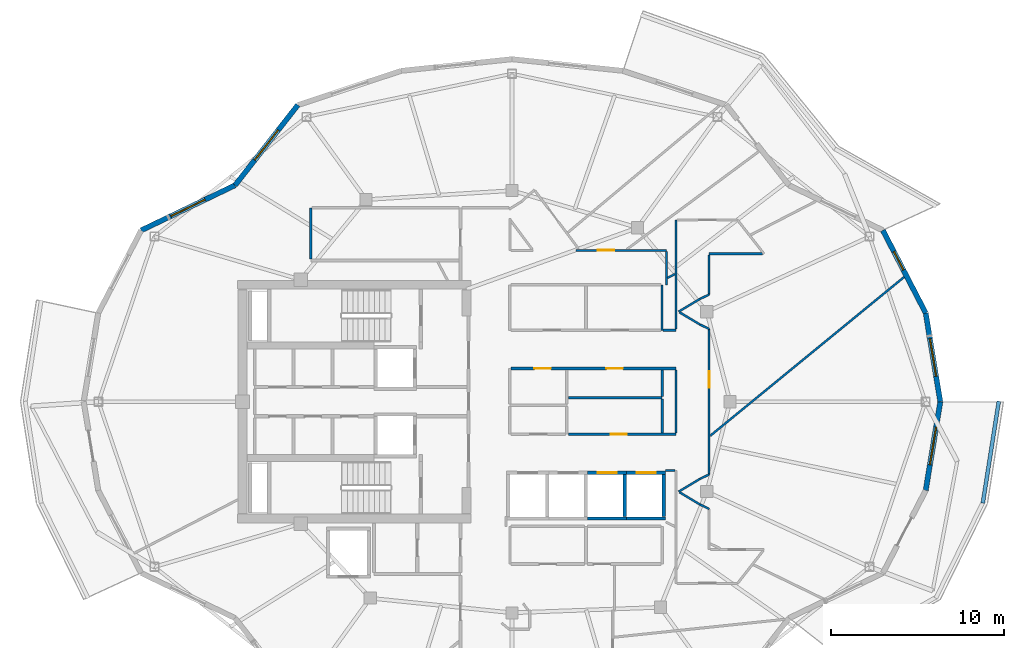
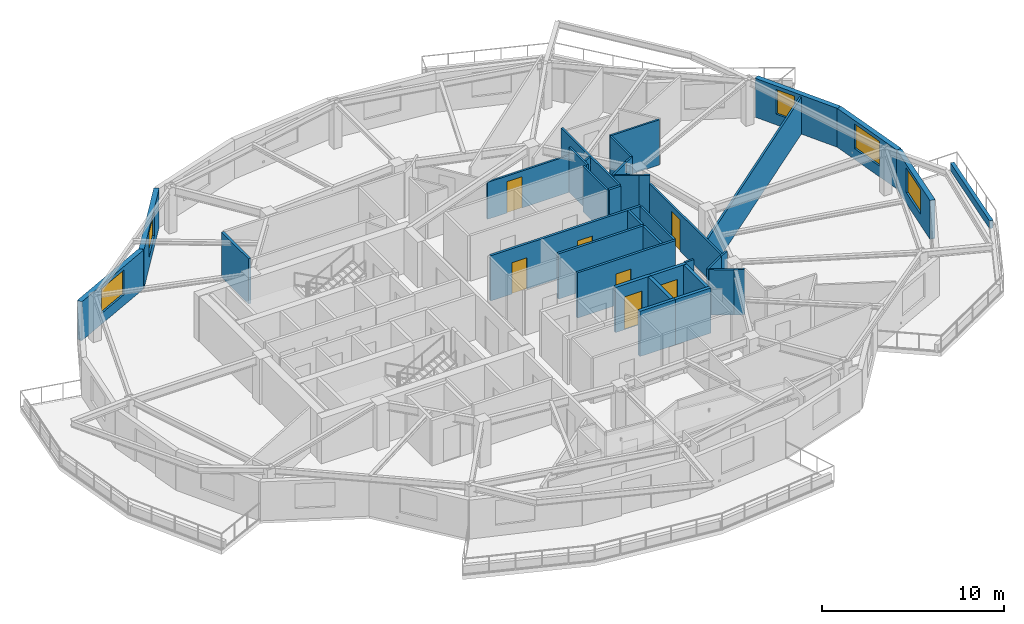
# One storey, part 6 of 14: 38 walls, 7 doors, 5 windows, 12 openings.
"""IFC4 building model written with IfcOpenShell, lengths in metres."""

from ifc_helpers import new_model, si_unit, direction, frame, frame_2d, origin, place, context, subcontext, project, spatial, rectangle, extrude, material, layer, layer_set, type_object, element, fill, save


model = new_model("IFC4")

# Units and contexts
model_context = context("Model", 3, precision=1e-05, world=origin(), true_north=direction((0.0, 1.0)))
body_context = subcontext(model_context, "Body", "Model", "MODEL_VIEW")
ifc_project = project(units=[si_unit("LENGTHUNIT", "METRE"), si_unit("AREAUNIT", "SQUARE_METRE"), si_unit("VOLUMEUNIT", "CUBIC_METRE"), si_unit("PLANEANGLEUNIT", "RADIAN"), si_unit("MASSUNIT", "GRAM", prefix="KILO")], contexts=[model_context])

# Site, building, storey
site_placement = place(None, origin())
site = spatial("IfcSite", under=ifc_project, at=site_placement, CompositionType="ELEMENT")
building_placement = place(site_placement, origin())
building = spatial("IfcBuilding", under=site, at=building_placement, Name="Kolvaren Gate Tower and Convention Centre", CompositionType="ELEMENT")
storey_placement = place(building_placement, frame((0.0, 0.0, 216.199951171875)))
storey = spatial("IfcBuildingStorey", under=building, at=storey_placement, Name="L57", CompositionType="ELEMENT", Elevation=216.199951171875)

# Wall
ifc_material_1 = material(Name="Fire-Rated Acoustic Gypsum Stud Partition", Category="gypsum")
ifc_layer_1 = layer(ifc_material_1, 0.1201171875)
ifc_layer_set_1 = layer_set([ifc_layer_1], Name="Fire-Rated Acoustic Gypsum Stud Partition")
wall_type_1 = type_object("IfcWallType", Name="ARCH-WL-PART-120", PredefinedType="PARTITIONING", material=ifc_layer_set_1)
wall_1_placement = place(storey_placement, frame((38.800048828125, 31.1201171875, 0.0), z_axis=(0.0, 0.0, 1.0), x_axis=(0.0, 1.0, 0.0)))
element("IfcWall", 1, at=wall_1_placement, inside=storey, type_object=wall_type_1, Name="Interior Partition WL-L57-INT-027", PredefinedType="PARTITIONING", context=body_context, shape_type="SweptSolid", body=[
    extrude(rectangle(XDim=2.6298828125, YDim=0.1201171875, at=frame_2d((1.31494140625, 0.0))), origin(), (0.0, 0.0, 1.0), 3.030029296875),
])

# Wall, opening, door
wall_2_placement = place(storey_placement, frame((33.8330078125, 35.75, 0.0), z_axis=(0.0, 0.0, 1.0), x_axis=(1.0, 0.0, 0.0)))
wall_2 = element("IfcWall", 2, at=wall_2_placement, inside=storey, type_object=wall_type_1, Name="Interior Partition WL-L57-INT-041", PredefinedType="PARTITIONING", context=body_context, shape_type="SweptSolid", body=[
    extrude(rectangle(XDim=5.217041015625, YDim=0.1201171875, at=frame_2d((2.6083984375, 0.0))), origin(), (0.0, 0.0, 1.0), 2.47802734375),
])
opening_1_placement = place(wall_2_placement, frame((1.238525390625, 0.0, 0.0)))
opening_1 = element("IfcOpeningElement", 3, at=opening_1_placement, cuts=wall_2, Name="Opening DR-01", PredefinedType="OPENING", context=body_context, shape_type="SweptSolid", body=[
    extrude(rectangle(XDim=0.949951171875, YDim=2.10009765625, at=frame_2d((0.47509765625, 1.050048828125))), frame((0.0, 0.070068359375, 0.0), z_axis=(0.0, -1.0, 0.0), x_axis=(1.0, 0.0, 0.0)), (0.0, 0.0, 1.0), 0.14013671875),
])
ifc_material_2 = material(Name="Painted Architectural Steelwork ASTM A500 Grade C 345 MPa", Category="steel")
door_type_1 = type_object("IfcDoorType", Name="ARCH-DR-RISER-950", OperationType="SINGLE_SWING_RIGHT", PredefinedType="DOOR", material=ifc_material_2)
door_1_placement = place(opening_1_placement, origin())
door_1 = element("IfcDoor", 4, at=door_1_placement, inside=storey, type_object=door_type_1, Name="Resident Quiet Study Office Door", OperationType="SINGLE_SWING_RIGHT", OverallHeight=2.10009765625, OverallWidth=0.949951171875, PredefinedType="DOOR", context=body_context, shape_type="SweptSolid", body=[
    extrude(rectangle(XDim=0.949951171875, YDim=2.10009765625, at=frame_2d((0.47509765625, 1.050048828125))), frame((0.0, 0.02490234375, 0.0), z_axis=(0.0, -1.0, 0.0), x_axis=(1.0, 0.0, 0.0)), (0.0, 0.0, 1.0), 0.050048828125),
])
fill(opening_1, door_1)

# Walls
wall_3_placement = place(storey_placement, frame((39.050048828125, 33.75, 0.0), z_axis=(0.0, 0.0, 1.0), x_axis=(0.0, 1.0, 0.0)))
element("IfcWall", 5, at=wall_3_placement, inside=storey, type_object=wall_type_1, Name="Interior Partition WL-L57-INT-042", PredefinedType="PARTITIONING", context=body_context, shape_type="SweptSolid", body=[
    extrude(rectangle(XDim=1.93798828125, YDim=0.1201171875, at=frame_2d((0.968994140625, 0.0))), origin(), (0.0, 0.0, 1.0), 3.030029296875),
])
wall_4_placement = place(storey_placement, frame((39.60009765625, 25.197021484375, 0.0), z_axis=(0.0, 0.0, 1.0), x_axis=(0.0, 1.0, 0.0)))
element("IfcWall", 6, at=wall_4_placement, inside=storey, type_object=wall_type_1, Name="Interior Partition WL-L57-INT-044", PredefinedType="PARTITIONING", context=body_context, shape_type="SweptSolid", body=[
    extrude(rectangle(XDim=3.64599609375, YDim=0.1201171875, at=frame_2d((1.822998046875, 0.0))), origin(), (0.0, 0.0, 1.0), 3.030029296875),
])
wall_5_placement = place(storey_placement, frame((39.60009765625, 31.197021484375, 0.0), z_axis=(0.0, 0.0, 1.0), x_axis=(0.0, 1.0, 0.0)))
element("IfcWall", 7, at=wall_5_placement, inside=storey, type_object=wall_type_1, Name="Interior Partition WL-L57-INT-045", PredefinedType="PARTITIONING", context=body_context, shape_type="SweptSolid", body=[
    extrude(rectangle(XDim=6.302978515625, YDim=0.1201171875, at=frame_2d((3.1513671875, 0.0))), origin(), (0.0, 0.0, 1.0), 3.030029296875),
])
wall_6_placement = place(storey_placement, frame((41.52001953125, 35.550048828125, 0.0), z_axis=(0.0, 0.0, 1.0), x_axis=(1.0, 0.0, 0.0)))
element("IfcWall", 8, at=wall_6_placement, inside=storey, type_object=wall_type_1, Name="Interior Partition WL-L57-INT-048", PredefinedType="PARTITIONING", context=body_context, shape_type="SweptSolid", body=[
    extrude(rectangle(XDim=3.085205078125, YDim=0.1201171875, at=frame_2d((1.54248046875, 0.0))), origin(), (0.0, 0.0, 1.0), 3.030029296875),
])

# Wall, opening, door
wall_7_placement = place(storey_placement, frame((41.52001953125, 22.7939453125, 0.0), z_axis=(0.0, 0.0, 1.0), x_axis=(0.0, 1.0, 0.0)))
wall_7 = element("IfcWall", 9, at=wall_7_placement, inside=storey, type_object=wall_type_1, Name="Interior Partition WL-L57-INT-050", PredefinedType="PARTITIONING", context=body_context, shape_type="SweptSolid", body=[
    extrude(rectangle(XDim=8.412109375, YDim=0.1201171875, at=frame_2d((4.2060546875, 0.0))), origin(), (0.0, 0.0, 1.0), 2.47802734375),
])
opening_2_placement = place(wall_7_placement, frame((5.00537109375, 0.0, 0.0)))
opening_2 = element("IfcOpeningElement", 10, at=opening_2_placement, cuts=wall_7, Name="Opening DR-01", PredefinedType="OPENING", context=body_context, shape_type="SweptSolid", body=[
    extrude(rectangle(XDim=0.949951171875, YDim=2.10009765625, at=frame_2d((0.47509765625, 1.050048828125))), frame((0.0, 0.070068359375, 0.0), z_axis=(0.0, -1.0, 0.0), x_axis=(1.0, 0.0, 0.0)), (0.0, 0.0, 1.0), 0.14013671875),
])
door_2_placement = place(opening_2_placement, origin())
door_2 = element("IfcDoor", 11, at=door_2_placement, inside=storey, type_object=door_type_1, Name="Resident Quiet Study Office Door", OperationType="SINGLE_SWING_RIGHT", OverallHeight=2.10009765625, OverallWidth=0.949951171875, PredefinedType="DOOR", context=body_context, shape_type="SweptSolid", body=[
    extrude(rectangle(XDim=0.949951171875, YDim=2.10009765625, at=frame_2d((0.47509765625, 1.050048828125))), frame((0.0, 0.02490234375, 0.0), z_axis=(0.0, -1.0, 0.0), x_axis=(1.0, 0.0, 0.0)), (0.0, 0.0, 1.0), 0.050048828125),
])
fill(opening_2, door_2)

# Walls
wall_8_placement = place(storey_placement, frame((41.52001953125, 33.193115234375, 0.0), z_axis=(0.0, 0.0, 1.0), x_axis=(0.0, 1.0, 0.0)))
element("IfcWall", 12, at=wall_8_placement, inside=storey, type_object=wall_type_1, Name="Interior Partition WL-L57-INT-051", PredefinedType="PARTITIONING", context=body_context, shape_type="SweptSolid", body=[
    extrude(rectangle(XDim=2.294921875, YDim=0.1201171875, at=frame_2d((1.1474609375, 0.0))), origin(), (0.0, 0.0, 1.0), 3.030029296875),
])
wall_9_placement = place(storey_placement, frame((40.986083984375, 32.93994140625, 0.0), z_axis=(0.0, 0.0, 1.0), x_axis=(0.90356951601, 0.428441512621, 0.0)))
element("IfcWall", 13, at=wall_9_placement, inside=storey, type_object=wall_type_1, Name="Interior Partition WL-L57-INT-052", PredefinedType="PARTITIONING", context=body_context, shape_type="SweptSolid", body=[
    extrude(rectangle(XDim=0.5908203125, YDim=0.1201171875, at=frame_2d((0.29541015625, 0.0))), origin(), (0.0, 0.0, 1.0), 3.030029296875),
])
wall_10_placement = place(storey_placement, frame((39.75, 32.198974609375, 0.0), z_axis=(0.0, 0.0, 1.0), x_axis=(0.857702120906, 0.514146935996, 0.0)))
element("IfcWall", 14, at=wall_10_placement, inside=storey, type_object=wall_type_1, Name="Interior Partition WL-L57-INT-053", PredefinedType="PARTITIONING", context=body_context, shape_type="SweptSolid", body=[
    extrude(rectangle(XDim=1.441162109375, YDim=0.1201171875, at=frame_2d((0.720703125, 0.0))), origin(), (0.0, 0.0, 1.0), 3.030029296875),
])
wall_11_placement = place(storey_placement, frame((39.810302734375, 32.162841796875, 0.0), z_axis=(0.0, 0.0, 1.0), x_axis=(0.858011245414, -0.513630901273, 0.0)))
element("IfcWall", 15, at=wall_11_placement, inside=storey, type_object=wall_type_1, Name="Interior Partition WL-L57-INT-054", PredefinedType="PARTITIONING", context=body_context, shape_type="SweptSolid", body=[
    extrude(rectangle(XDim=1.370361328125, YDim=0.1201171875, at=frame_2d((0.68505859375, 0.0))), origin(), (0.0, 0.0, 1.0), 3.030029296875),
])
for number, where, z_axis, x_axis, name in (
    (16, (40.986083984375, 31.458984375, 0.0), (0.0, 0.0, 1.0), (0.903729424576, -0.428104107847, 0.0), "Interior Partition WL-L57-INT-055"),
    (17, (40.986083984375, 22.541015625, 0.0), (0.0, 0.0, 1.0), (0.903729424576, 0.428104107847, 0.0), "Interior Partition WL-L57-INT-056"),
):
    element("IfcWall", number, at=place(storey_placement, frame(where, z_axis=z_axis, x_axis=x_axis)), inside=storey, type_object=wall_type_1, Name=name, PredefinedType="PARTITIONING", context=body_context, shape_type="SweptSolid", body=[
        extrude(rectangle(XDim=0.5908203125, YDim=0.1201171875, at=frame_2d((0.29541015625, 0.0))), origin(), (0.0, 0.0, 1.0), 3.030029296875),
    ])
wall_12_placement = place(storey_placement, frame((39.75, 21.800048828125, 0.0), z_axis=(0.0, 0.0, 1.0), x_axis=(0.857702120906, 0.514146935996, 0.0)))
element("IfcWall", 18, at=wall_12_placement, inside=storey, type_object=wall_type_1, Name="Interior Partition WL-L57-INT-057", PredefinedType="PARTITIONING", context=body_context, shape_type="SweptSolid", body=[
    extrude(rectangle(XDim=1.441162109375, YDim=0.1201171875, at=frame_2d((0.720703125, 0.0))), origin(), (0.0, 0.0, 1.0), 3.030029296875),
])
wall_13_placement = place(storey_placement, frame((39.810302734375, 21.763916015625, 0.0), z_axis=(0.0, 0.0, 1.0), x_axis=(0.858011245414, -0.513630901273, 0.0)))
element("IfcWall", 19, at=wall_13_placement, inside=storey, type_object=wall_type_1, Name="Interior Partition WL-L57-INT-058", PredefinedType="PARTITIONING", context=body_context, shape_type="SweptSolid", body=[
    extrude(rectangle(XDim=1.370361328125, YDim=0.1201171875, at=frame_2d((0.68505859375, 0.0))), origin(), (0.0, 0.0, 1.0), 3.030029296875),
])
wall_14_placement = place(storey_placement, frame((40.986083984375, 21.06005859375, 0.0), z_axis=(0.0, 0.0, 1.0), x_axis=(0.90356951601, -0.428441512621, 0.0)))
element("IfcWall", 20, at=wall_14_placement, inside=storey, type_object=wall_type_1, Name="Interior Partition WL-L57-INT-059", PredefinedType="PARTITIONING", context=body_context, shape_type="SweptSolid", body=[
    extrude(rectangle(XDim=0.5908203125, YDim=0.1201171875, at=frame_2d((0.29541015625, 0.0))), origin(), (0.0, 0.0, 1.0), 3.030029296875),
])
wall_15_placement = place(storey_placement, frame((39.0, 23.02001953125, 0.0), z_axis=(0.0, 0.0, 1.0), x_axis=(1.0, 0.0, 0.0)))
element("IfcWall", 21, at=wall_15_placement, inside=storey, type_object=wall_type_1, Name="Interior Partition WL-L57-INT-063", PredefinedType="PARTITIONING", context=body_context, shape_type="SweptSolid", body=[
    extrude(rectangle(XDim=0.5380859375, YDim=0.1201171875, at=frame_2d((0.26904296875, 0.0))), origin(), (0.0, 0.0, 1.0), 3.030029296875),
])
wall_16_placement = place(storey_placement, frame((39.112060546875, 34.15625, 0.0), z_axis=(0.0, 0.0, 1.0), x_axis=(0.888547006739, 0.458785589153, 0.0)))
element("IfcWall", 22, at=wall_16_placement, inside=storey, type_object=wall_type_1, Name="Interior Partition WL-L57-INT-076", PredefinedType="PARTITIONING", context=body_context, shape_type="SweptSolid", body=[
    extrude(rectangle(XDim=0.4794921875, YDim=0.1201171875, at=frame_2d((0.23974609375, 0.0))), origin(), (0.0, 0.0, 1.0), 3.030029296875),
])
wall_17_placement = place(storey_placement, frame((41.58203125, 25.0322265625, 0.0), z_axis=(0.0, 0.0, 1.0), x_axis=(0.773716066315, 0.633532515919, 0.0)))
element("IfcWall", 23, at=wall_17_placement, inside=storey, type_object=wall_type_1, Name="Interior Partition WL-L57-INT-079", PredefinedType="PARTITIONING", context=body_context, shape_type="SweptSolid", body=[
    extrude(rectangle(XDim=14.477783203125, YDim=0.1201171875, at=frame_2d((7.23876953125, 0.0))), origin(), (0.0, 0.0, 1.0), 2.47802734375),
])
ifc_material_3 = material(Name="Piedmont Cream Honed Limestone Cladding", Category="masonry")
ifc_layer_2 = layer(ifc_material_3, 0.219970703125)
ifc_layer_set_2 = layer_set([ifc_layer_2], Name="Piedmont Cream Honed Limestone Cladding")
wall_type_2 = type_object("IfcWallType", Name="ARCH-WL-PLANTER-220", PredefinedType="PARAPET", material=ifc_layer_set_2)
wall_18_placement = place(storey_placement, frame((57.331787109375, 21.1376953125, 0.0), z_axis=(0.0, 0.0, 1.0), x_axis=(0.1550711793, 0.987903299595, 0.0)))
element("IfcWall", 24, at=wall_18_placement, inside=storey, type_object=wall_type_2, Name="Vertical-Forest Balcony Stone Planter Kerb PK-L57-4.3", PredefinedType="PARAPET", context=body_context, shape_type="SweptSolid", body=[
    extrude(rectangle(XDim=5.963623046875, YDim=0.219970703125, at=frame_2d((2.98193359375, 0.0))), origin(), (0.0, 0.0, 1.0), 0.52001953125),
])

# Wall, opening, door
ifc_material_4 = material(Name="Autoclaved Aerated Masonry Blockwork Class 4 (4.0 MPa)", Category="masonry")
ifc_layer_3 = layer(ifc_material_4, 0.199951171875)
ifc_layer_set_3 = layer_set([ifc_layer_3], Name="Autoclaved Aerated Masonry Blockwork Class 4 (4.0 MPa)")
wall_type_3 = type_object("IfcWallType", Name="ARCH-WL-SHAFT-200", PredefinedType="SOLIDWALL", material=ifc_layer_set_3)
wall_19_placement = place(storey_placement, frame((34.5, 22.89990234375, 0.0), z_axis=(0.0, 0.0, 1.0), x_axis=(1.0, 0.0, 0.0)))
wall_19 = element("IfcWall", 25, at=wall_19_placement, inside=storey, type_object=wall_type_3, Name="Elevator PL-11 L57 Fire Shaft Wall N", PredefinedType="SOLIDWALL", context=body_context, shape_type="SweptSolid", body=[
    extrude(rectangle(XDim=2.25, YDim=0.199951171875, at=frame_2d((1.125, 0.0))), origin(), (0.0, 0.0, 1.0), 3.030029296875),
])
opening_3_placement = place(wall_19_placement, frame((0.574951171875, 0.0, 0.0)))
opening_3 = element("IfcOpeningElement", 26, at=opening_3_placement, cuts=wall_19, Name="Opening LD", PredefinedType="OPENING", context=body_context, shape_type="SweptSolid", body=[
    extrude(rectangle(XDim=1.10009765625, YDim=2.199951171875, at=frame_2d((0.550048828125, 1.10009765625))), frame((0.0, 0.10986328125, 0.0), z_axis=(0.0, -1.0, 0.0), x_axis=(1.0, 0.0, 0.0)), (0.0, 0.0, 1.0), 0.219970703125),
])
ifc_material_5 = material(Name="Brushed Stainless Steel Grade 316L", Category="steel")
door_type_2 = type_object("IfcDoorType", Name="ARCH-DR-LIFT-1100", OperationType="SLIDING_TO_LEFT", PredefinedType="DOOR", material=ifc_material_5)
door_3_placement = place(opening_3_placement, origin())
door_3 = element("IfcDoor", 27, at=door_3_placement, inside=storey, type_object=door_type_2, Name="Elevator PL-11 L57 Sliding Landing Door", OperationType="SLIDING_TO_LEFT", OverallHeight=2.199951171875, OverallWidth=1.10009765625, PredefinedType="DOOR", context=body_context, shape_type="SweptSolid", body=[
    extrude(rectangle(XDim=1.10009765625, YDim=2.199951171875, at=frame_2d((0.550048828125, 1.10009765625))), frame((0.0, 0.02490234375, 0.0), z_axis=(0.0, -1.0, 0.0), x_axis=(1.0, 0.0, 0.0)), (0.0, 0.0, 1.0), 0.050048828125),
])
fill(opening_3, door_3)

# Walls
wall_20_placement = place(storey_placement, frame((34.5, 20.25, 0.0), z_axis=(0.0, 0.0, 1.0), x_axis=(1.0, 0.0, 0.0)))
element("IfcWall", 28, at=wall_20_placement, inside=storey, type_object=wall_type_3, Name="Elevator PL-11 L57 Fire Shaft Wall S", PredefinedType="SOLIDWALL", context=body_context, shape_type="SweptSolid", body=[
    extrude(rectangle(XDim=2.25, YDim=0.199951171875, at=frame_2d((1.125, 0.0))), origin(), (0.0, 0.0, 1.0), 3.030029296875),
])
wall_21_placement = place(storey_placement, frame((36.64990234375, 20.360107421875, 0.0), z_axis=(0.0, 0.0, 1.0), x_axis=(0.0, 1.0, 0.0)))
element("IfcWall", 29, at=wall_21_placement, inside=storey, type_object=wall_type_3, Name="Elevator PL-11 L57 Fire Shaft Wall E", PredefinedType="SOLIDWALL", context=body_context, shape_type="SweptSolid", body=[
    extrude(rectangle(XDim=2.429931640625, YDim=0.199951171875, at=frame_2d((1.21484375, 0.0))), origin(), (0.0, 0.0, 1.0), 3.030029296875),
])

# Wall, opening, door
wall_22_placement = place(storey_placement, frame((36.75, 22.89990234375, 0.0), z_axis=(0.0, 0.0, 1.0), x_axis=(1.0, 0.0, 0.0)))
wall_22 = element("IfcWall", 30, at=wall_22_placement, inside=storey, type_object=wall_type_3, Name="Elevator PL-12 L57 Fire Shaft Wall N", PredefinedType="SOLIDWALL", context=body_context, shape_type="SweptSolid", body=[
    extrude(rectangle(XDim=2.25, YDim=0.199951171875, at=frame_2d((1.125, 0.0))), origin(), (0.0, 0.0, 1.0), 3.030029296875),
])
opening_4_placement = place(wall_22_placement, frame((0.574951171875, 0.0, 0.0)))
opening_4 = element("IfcOpeningElement", 31, at=opening_4_placement, cuts=wall_22, Name="Opening LD", PredefinedType="OPENING", context=body_context, shape_type="SweptSolid", body=[
    extrude(rectangle(XDim=1.10009765625, YDim=2.199951171875, at=frame_2d((0.550048828125, 1.10009765625))), frame((0.0, 0.10986328125, 0.0), z_axis=(0.0, -1.0, 0.0), x_axis=(1.0, 0.0, 0.0)), (0.0, 0.0, 1.0), 0.219970703125),
])
door_4_placement = place(opening_4_placement, origin())
door_4 = element("IfcDoor", 32, at=door_4_placement, inside=storey, type_object=door_type_2, Name="Elevator PL-12 L57 Sliding Landing Door", OperationType="SLIDING_TO_LEFT", OverallHeight=2.199951171875, OverallWidth=1.10009765625, PredefinedType="DOOR", context=body_context, shape_type="SweptSolid", body=[
    extrude(rectangle(XDim=1.10009765625, YDim=2.199951171875, at=frame_2d((0.550048828125, 1.10009765625))), frame((0.0, 0.02490234375, 0.0), z_axis=(0.0, -1.0, 0.0), x_axis=(1.0, 0.0, 0.0)), (0.0, 0.0, 1.0), 0.050048828125),
])
fill(opening_4, door_4)

# Walls
wall_23_placement = place(storey_placement, frame((36.75, 20.25, 0.0), z_axis=(0.0, 0.0, 1.0), x_axis=(1.0, 0.0, 0.0)))
element("IfcWall", 33, at=wall_23_placement, inside=storey, type_object=wall_type_3, Name="Elevator PL-12 L57 Fire Shaft Wall S", PredefinedType="SOLIDWALL", context=body_context, shape_type="SweptSolid", body=[
    extrude(rectangle(XDim=2.25, YDim=0.199951171875, at=frame_2d((1.125, 0.0))), origin(), (0.0, 0.0, 1.0), 3.030029296875),
])
wall_24_placement = place(storey_placement, frame((38.89990234375, 20.360107421875, 0.0), z_axis=(0.0, 0.0, 1.0), x_axis=(0.0, 1.0, 0.0)))
element("IfcWall", 34, at=wall_24_placement, inside=storey, type_object=wall_type_3, Name="Elevator PL-12 L57 Fire Shaft Wall E", PredefinedType="SOLIDWALL", context=body_context, shape_type="SweptSolid", body=[
    extrude(rectangle(XDim=2.429931640625, YDim=0.199951171875, at=frame_2d((1.21484375, 0.0))), origin(), (0.0, 0.0, 1.0), 3.030029296875),
])

# Wall, opening, window
ifc_layer_4 = layer(ifc_material_3, 0.300048828125)
ifc_layer_set_4 = layer_set([ifc_layer_4], Name="Piedmont Cream Honed Limestone Cladding")
wall_type_4 = type_object("IfcWallType", Name="ARCH-WL-STONE-300", PredefinedType="SOLIDWALL", material=ifc_layer_set_4)
wall_25_placement = place(storey_placement, frame((54.03173828125, 32.12451171875, 0.0), z_axis=(0.0, 0.0, 1.0), x_axis=(0.16237087798, -0.986729799886, 0.0)))
wall_25 = element("IfcWall", 35, at=wall_25_placement, inside=storey, type_object=wall_type_4, Name="Tower L57 Honed Stone Spandrel Wall EW-00", PredefinedType="SOLIDWALL", context=body_context, shape_type="SweptSolid", body=[
    extrude(rectangle(XDim=5.193359375, YDim=0.300048828125, at=frame_2d((2.5966796875, 0.0))), origin(), (0.0, 0.0, 1.0), 2.60498046875),
])
opening_5_placement = place(wall_25_placement, frame((1.4970703125, 0.0, 0.719970703125)))
opening_5 = element("IfcOpeningElement", 36, at=opening_5_placement, cuts=wall_25, Name="Opening W-03", PredefinedType="OPENING", context=body_context, shape_type="SweptSolid", body=[
    extrude(rectangle(XDim=2.199951171875, YDim=1.64990234375, at=frame_2d((1.10009765625, 0.824951171875))), frame((0.0, 0.159912109375, 0.0), z_axis=(0.0, -1.0, 0.0), x_axis=(1.0, 0.0, 0.0)), (0.0, 0.0, 1.0), 0.320068359375),
])
ifc_material_6 = material(Name="Low-E Triple Insulated Glazing Unit 44 mm", Category="glass")
window_type_1 = type_object("IfcWindowType", Name="ARCH-WN-RES-2200", PartitioningType="SINGLE_PANEL", PredefinedType="WINDOW", material=ifc_material_6)
window_1_placement = place(opening_5_placement, origin())
window_1 = element("IfcWindow", 37, at=window_1_placement, inside=storey, type_object=window_type_1, Name="Tower L57 Punched Stone Facade Window W-00", OverallHeight=1.64990234375, OverallWidth=2.199951171875, PartitioningType="SINGLE_PANEL", PredefinedType="WINDOW", context=body_context, shape_type="SweptSolid", body=[
    extrude(rectangle(XDim=2.199951171875, YDim=1.64990234375, at=frame_2d((1.10009765625, 0.824951171875))), frame((0.0, 0.030029296875, 0.0), z_axis=(0.0, -1.0, 0.0), x_axis=(1.0, 0.0, 0.0)), (0.0, 0.0, 1.0), 0.06005859375),
])
fill(opening_5, window_1)

wall_26_placement = place(storey_placement, frame((51.55908203125, 36.89990234375, 0.0), z_axis=(0.0, 0.0, 1.0), x_axis=(0.459808219482, -0.888018243786, 0.0)))
wall_26 = element("IfcWall", 38, at=wall_26_placement, inside=storey, type_object=wall_type_4, Name="Tower L57 Honed Stone Spandrel Wall EW-01", PredefinedType="SOLIDWALL", context=body_context, shape_type="SweptSolid", body=[
    extrude(rectangle(XDim=5.377685546875, YDim=0.300048828125, at=frame_2d((2.68896484375, 0.0))), origin(), (0.0, 0.0, 1.0), 2.60498046875),
])
opening_6_placement = place(wall_26_placement, frame((1.3798828125, 0.0, 0.719970703125)))
opening_6 = element("IfcOpeningElement", 39, at=opening_6_placement, cuts=wall_26, Name="Opening W-04", PredefinedType="OPENING", context=body_context, shape_type="SweptSolid", body=[
    extrude(rectangle(XDim=1.199951171875, YDim=1.64990234375, at=frame_2d((0.60009765625, 0.824951171875))), frame((0.0, 0.159912109375, 0.0), z_axis=(0.0, -1.0, 0.0), x_axis=(1.0, 0.0, 0.0)), (0.0, 0.0, 1.0), 0.320068359375),
])
window_type_2 = type_object("IfcWindowType", Name="ARCH-WN-NARROW-1200", PartitioningType="SINGLE_PANEL", PredefinedType="WINDOW", material=ifc_material_6)
window_2_placement = place(opening_6_placement, origin())
window_2 = element("IfcWindow", 40, at=window_2_placement, inside=storey, type_object=window_type_2, Name="Tower L57 Punched Stone Facade Window W-01", OverallHeight=1.64990234375, OverallWidth=1.199951171875, PartitioningType="SINGLE_PANEL", PredefinedType="WINDOW", context=body_context, shape_type="SweptSolid", body=[
    extrude(rectangle(XDim=1.199951171875, YDim=1.64990234375, at=frame_2d((0.60009765625, 0.824951171875))), frame((0.0, 0.030029296875, 0.0), z_axis=(0.0, -1.0, 0.0), x_axis=(1.0, 0.0, 0.0)), (0.0, 0.0, 1.0), 0.06005859375),
])
fill(opening_6, window_2)

wall_27_placement = place(storey_placement, frame((14.117431640625, 39.50732421875, 0.0), z_axis=(0.0, 0.0, 1.0), x_axis=(0.616450126935, 0.787393955401, 0.0)))
wall_27 = element("IfcWall", 41, at=wall_27_placement, inside=storey, type_object=wall_type_4, Name="Tower L57 Honed Stone Spandrel Wall EW-08", PredefinedType="SOLIDWALL", context=body_context, shape_type="SweptSolid", body=[
    extrude(rectangle(XDim=5.892822265625, YDim=0.300048828125, at=frame_2d((2.9462890625, 0.0))), origin(), (0.0, 0.0, 1.0), 2.60498046875),
])
opening_7_placement = place(wall_27_placement, frame((1.845947265625, 0.0, 0.719970703125)))
opening_7 = element("IfcOpeningElement", 42, at=opening_7_placement, cuts=wall_27, Name="Opening W-03", PredefinedType="OPENING", context=body_context, shape_type="SweptSolid", body=[
    extrude(rectangle(XDim=2.199951171875, YDim=1.64990234375, at=frame_2d((1.10009765625, 0.824951171875))), frame((0.0, 0.159912109375, 0.0), z_axis=(0.0, -1.0, 0.0), x_axis=(1.0, 0.0, 0.0)), (0.0, 0.0, 1.0), 0.320068359375),
])
window_3_placement = place(opening_7_placement, origin())
window_3 = element("IfcWindow", 43, at=window_3_placement, inside=storey, type_object=window_type_1, Name="Tower L57 Punched Stone Facade Window W-08", OverallHeight=1.64990234375, OverallWidth=2.199951171875, PartitioningType="SINGLE_PANEL", PredefinedType="WINDOW", context=body_context, shape_type="SweptSolid", body=[
    extrude(rectangle(XDim=2.199951171875, YDim=1.64990234375, at=frame_2d((1.10009765625, 0.824951171875))), frame((0.0, 0.030029296875, 0.0), z_axis=(0.0, -1.0, 0.0), x_axis=(1.0, 0.0, 0.0)), (0.0, 0.0, 1.0), 0.06005859375),
])
fill(opening_7, window_3)

wall_28_placement = place(storey_placement, frame((8.69091796875, 36.89990234375, 0.0), z_axis=(0.0, 0.0, 1.0), x_axis=(0.901348331142, 0.433094892545, 0.0)))
wall_28 = element("IfcWall", 44, at=wall_28_placement, inside=storey, type_object=wall_type_4, Name="Tower L57 Honed Stone Spandrel Wall EW-09", PredefinedType="SOLIDWALL", context=body_context, shape_type="SweptSolid", body=[
    extrude(rectangle(XDim=6.0205078125, YDim=0.300048828125, at=frame_2d((3.01025390625, 0.0))), origin(), (0.0, 0.0, 1.0), 2.60498046875),
])
opening_8_placement = place(wall_28_placement, frame((1.909912109375, 0.0, 0.719970703125)))
opening_8 = element("IfcOpeningElement", 45, at=opening_8_placement, cuts=wall_28, Name="Opening W-03", PredefinedType="OPENING", context=body_context, shape_type="SweptSolid", body=[
    extrude(rectangle(XDim=2.199951171875, YDim=1.64990234375, at=frame_2d((1.10009765625, 0.824951171875))), frame((0.0, 0.159912109375, 0.0), z_axis=(0.0, -1.0, 0.0), x_axis=(1.0, 0.0, 0.0)), (0.0, 0.0, 1.0), 0.320068359375),
])
window_4_placement = place(opening_8_placement, origin())
window_4 = element("IfcWindow", 46, at=window_4_placement, inside=storey, type_object=window_type_1, Name="Tower L57 Punched Stone Facade Window W-09", OverallHeight=1.64990234375, OverallWidth=2.199951171875, PartitioningType="SINGLE_PANEL", PredefinedType="WINDOW", context=body_context, shape_type="SweptSolid", body=[
    extrude(rectangle(XDim=2.199951171875, YDim=1.64990234375, at=frame_2d((1.10009765625, 0.824951171875))), frame((0.0, 0.030029296875, 0.0), z_axis=(0.0, -1.0, 0.0), x_axis=(1.0, 0.0, 0.0)), (0.0, 0.0, 1.0), 0.06005859375),
])
fill(opening_8, window_4)

wall_29_placement = place(storey_placement, frame((54.03173828125, 21.87548828125, 0.0), z_axis=(0.0, 0.0, 1.0), x_axis=(0.16237087798, 0.986729799886, 0.0)))
wall_29 = element("IfcWall", 47, at=wall_29_placement, inside=storey, type_object=wall_type_4, Name="Tower L57 Honed Stone Spandrel Wall EW-23", PredefinedType="SOLIDWALL", context=body_context, shape_type="SweptSolid", body=[
    extrude(rectangle(XDim=5.193359375, YDim=0.300048828125, at=frame_2d((2.5966796875, 0.0))), origin(), (0.0, 0.0, 1.0), 2.60498046875),
])
opening_9_placement = place(wall_29_placement, frame((1.4970703125, 0.0, 0.719970703125)))
opening_9 = element("IfcOpeningElement", 48, at=opening_9_placement, cuts=wall_29, Name="Opening W-03", PredefinedType="OPENING", context=body_context, shape_type="SweptSolid", body=[
    extrude(rectangle(XDim=2.199951171875, YDim=1.64990234375, at=frame_2d((1.10009765625, 0.824951171875))), frame((0.0, 0.159912109375, 0.0), z_axis=(0.0, -1.0, 0.0), x_axis=(1.0, 0.0, 0.0)), (0.0, 0.0, 1.0), 0.320068359375),
])
window_5_placement = place(opening_9_placement, origin())
window_5 = element("IfcWindow", 49, at=window_5_placement, inside=storey, type_object=window_type_1, Name="Tower L57 Punched Stone Facade Window W-23", OverallHeight=1.64990234375, OverallWidth=2.199951171875, PartitioningType="SINGLE_PANEL", PredefinedType="WINDOW", context=body_context, shape_type="SweptSolid", body=[
    extrude(rectangle(XDim=2.199951171875, YDim=1.64990234375, at=frame_2d((1.10009765625, 0.824951171875))), frame((0.0, 0.030029296875, 0.0), z_axis=(0.0, -1.0, 0.0), x_axis=(1.0, 0.0, 0.0)), (0.0, 0.0, 1.0), 0.06005859375),
])
fill(opening_9, window_5)

# Wall, openings, doors
ifc_material_7 = material(Name="Moisture-Resistant Cement-Board Acoustic Partition", Category="gypsum")
ifc_layer_5 = layer(ifc_material_7, 0.14990234375)
ifc_layer_set_5 = layer_set([ifc_layer_5], Name="Moisture-Resistant Cement-Board Acoustic Partition")
wall_type_5 = type_object("IfcWallType", Name="ARCH-WL-WET-150", PredefinedType="PARTITIONING", material=ifc_layer_set_5)
wall_30_placement = place(storey_placement, frame((30.076904296875, 28.919921875, 0.0), z_axis=(0.0, 0.0, 1.0), x_axis=(1.0, 0.0, 0.0)))
wall_30 = element("IfcWall", 50, at=wall_30_placement, inside=storey, type_object=wall_type_5, Name="Interior Partition WL-L57-INT-021", PredefinedType="PARTITIONING", context=body_context, shape_type="SweptSolid", body=[
    extrude(rectangle(XDim=9.523193359375, YDim=0.14990234375, at=frame_2d((4.76171875, 0.0))), origin(), (0.0, 0.0, 1.0), 3.030029296875),
])
opening_10_placement = place(wall_30_placement, frame((1.341552734375, 0.0, 0.0)))
opening_10 = element("IfcOpeningElement", 51, at=opening_10_placement, cuts=wall_30, Name="Opening DR-01", PredefinedType="OPENING", context=body_context, shape_type="SweptSolid", body=[
    extrude(rectangle(XDim=0.949951171875, YDim=2.10009765625, at=frame_2d((0.47509765625, 1.050048828125))), frame((0.0, 0.0849609375, 0.0), z_axis=(0.0, -1.0, 0.0), x_axis=(1.0, 0.0, 0.0)), (0.0, 0.0, 1.0), 0.169921875),
])
opening_11_placement = place(wall_30_placement, frame((5.498046875, 0.0, 0.0)))
opening_11 = element("IfcOpeningElement", 52, at=opening_11_placement, cuts=wall_30, Name="Opening DR-01", PredefinedType="OPENING", context=body_context, shape_type="SweptSolid", body=[
    extrude(rectangle(XDim=0.949951171875, YDim=2.10009765625, at=frame_2d((0.47509765625, 1.050048828125))), frame((0.0, 0.0849609375, 0.0), z_axis=(0.0, -1.0, 0.0), x_axis=(1.0, 0.0, 0.0)), (0.0, 0.0, 1.0), 0.169921875),
])
door_5_placement = place(opening_10_placement, origin())
door_5 = element("IfcDoor", 53, at=door_5_placement, inside=storey, type_object=door_type_1, Name="Accessible North Washroom Door", OperationType="SINGLE_SWING_RIGHT", OverallHeight=2.10009765625, OverallWidth=0.949951171875, PredefinedType="DOOR", context=body_context, shape_type="SweptSolid", body=[
    extrude(rectangle(XDim=0.949951171875, YDim=2.10009765625, at=frame_2d((0.47509765625, 1.050048828125))), frame((0.0, 0.02490234375, 0.0), z_axis=(0.0, -1.0, 0.0), x_axis=(1.0, 0.0, 0.0)), (0.0, 0.0, 1.0), 0.050048828125),
])
fill(opening_10, door_5)
door_6_placement = place(opening_11_placement, origin())
door_6 = element("IfcDoor", 54, at=door_6_placement, inside=storey, type_object=door_type_1, Name="Floor Janitor and Supply Store Door", OperationType="SINGLE_SWING_RIGHT", OverallHeight=2.10009765625, OverallWidth=0.949951171875, PredefinedType="DOOR", context=body_context, shape_type="SweptSolid", body=[
    extrude(rectangle(XDim=0.949951171875, YDim=2.10009765625, at=frame_2d((0.47509765625, 1.050048828125))), frame((0.0, 0.02490234375, 0.0), z_axis=(0.0, -1.0, 0.0), x_axis=(1.0, 0.0, 0.0)), (0.0, 0.0, 1.0), 0.050048828125),
])
fill(opening_11, door_6)

# Wall, opening, door
wall_31_placement = place(storey_placement, frame((33.376953125, 25.1201171875, 0.0), z_axis=(0.0, 0.0, 1.0), x_axis=(1.0, 0.0, 0.0)))
wall_31 = element("IfcWall", 55, at=wall_31_placement, inside=storey, type_object=wall_type_5, Name="Interior Partition WL-L57-INT-023 (2)", PredefinedType="PARTITIONING", context=body_context, shape_type="SweptSolid", body=[
    extrude(rectangle(XDim=6.22314453125, YDim=0.14990234375, at=frame_2d((3.111572265625, 0.0))), origin(), (0.0, 0.0, 1.0), 3.030029296875),
])
opening_12_placement = place(wall_31_placement, frame((2.44140625, 0.0, 0.0)))
opening_12 = element("IfcOpeningElement", 56, at=opening_12_placement, cuts=wall_31, Name="Opening DR-01", PredefinedType="OPENING", context=body_context, shape_type="SweptSolid", body=[
    extrude(rectangle(XDim=0.949951171875, YDim=2.10009765625, at=frame_2d((0.47509765625, 1.050048828125))), frame((0.0, 0.0849609375, 0.0), z_axis=(0.0, -1.0, 0.0), x_axis=(1.0, 0.0, 0.0)), (0.0, 0.0, 1.0), 0.169921875),
])
door_7_placement = place(opening_12_placement, origin())
door_7 = element("IfcDoor", 57, at=door_7_placement, inside=storey, type_object=door_type_1, Name="Floor Coffee Pantry Door", OperationType="SINGLE_SWING_LEFT", OverallHeight=2.10009765625, OverallWidth=0.949951171875, PredefinedType="DOOR", context=body_context, shape_type="SweptSolid", body=[
    extrude(rectangle(XDim=0.949951171875, YDim=2.10009765625, at=frame_2d((0.47509765625, 1.050048828125))), frame((0.0, 0.02490234375, 0.0), z_axis=(0.0, -1.0, 0.0), x_axis=(1.0, 0.0, 0.0)), (0.0, 0.0, 1.0), 0.050048828125),
])
fill(opening_12, door_7)

# Walls
wall_32_placement = place(storey_placement, frame((33.376953125, 27.219970703125, 0.0), z_axis=(0.0, 0.0, 1.0), x_axis=(1.0, 0.0, 0.0)))
element("IfcWall", 58, at=wall_32_placement, inside=storey, type_object=wall_type_5, Name="Interior Partition WL-L57-INT-024", PredefinedType="PARTITIONING", context=body_context, shape_type="SweptSolid", body=[
    extrude(rectangle(XDim=5.423095703125, YDim=0.14990234375, at=frame_2d((2.71142578125, 0.0))), origin(), (0.0, 0.0, 1.0), 3.030029296875),
])
wall_33_placement = place(storey_placement, frame((38.800048828125, 25.197021484375, 0.0), z_axis=(0.0, 0.0, 1.0), x_axis=(0.0, 1.0, 0.0)))
element("IfcWall", 59, at=wall_33_placement, inside=storey, type_object=wall_type_5, Name="Interior Partition WL-L57-INT-026", PredefinedType="PARTITIONING", context=body_context, shape_type="SweptSolid", body=[
    extrude(rectangle(XDim=1.946044921875, YDim=0.14990234375, at=frame_2d((0.97314453125, 0.0))), origin(), (0.0, 0.0, 1.0), 3.030029296875),
])
wall_34_placement = place(storey_placement, frame((38.800048828125, 27.297119140625, 0.0), z_axis=(0.0, 0.0, 1.0), x_axis=(0.0, 1.0, 0.0)))
element("IfcWall", 60, at=wall_34_placement, inside=storey, type_object=wall_type_5, Name="Interior Partition WL-L57-INT-026 (2)", PredefinedType="PARTITIONING", context=body_context, shape_type="SweptSolid", body=[
    extrude(rectangle(XDim=1.5458984375, YDim=0.14990234375, at=frame_2d((0.77294921875, 0.0))), origin(), (0.0, 0.0, 1.0), 3.030029296875),
])
wall_35_placement = place(storey_placement, frame((38.862060546875, 31.1201171875, 0.0), z_axis=(0.0, 0.0, 1.0), x_axis=(1.0, 0.0, 0.0)))
element("IfcWall", 61, at=wall_35_placement, inside=storey, type_object=wall_type_5, Name="Interior Partition WL-L57-INT-028 (2)", PredefinedType="PARTITIONING", context=body_context, shape_type="SweptSolid", body=[
    extrude(rectangle(XDim=0.738037109375, YDim=0.14990234375, at=frame_2d((0.369140625, 0.0))), origin(), (0.0, 0.0, 1.0), 3.030029296875),
])
wall_36_placement = place(storey_placement, frame((18.5, 35.237060546875, 0.0), z_axis=(0.0, 0.0, 1.0), x_axis=(0.0, 1.0, 0.0)))
element("IfcWall", 62, at=wall_36_placement, inside=storey, type_object=wall_type_5, Name="Interior Partition WL-L57-INT-035", PredefinedType="PARTITIONING", context=body_context, shape_type="SweptSolid", body=[
    extrude(rectangle(XDim=2.962890625, YDim=0.14990234375, at=frame_2d((1.4814453125, 0.0))), origin(), (0.0, 0.0, 1.0), 3.030029296875),
])

save(model, "model.ifc")
